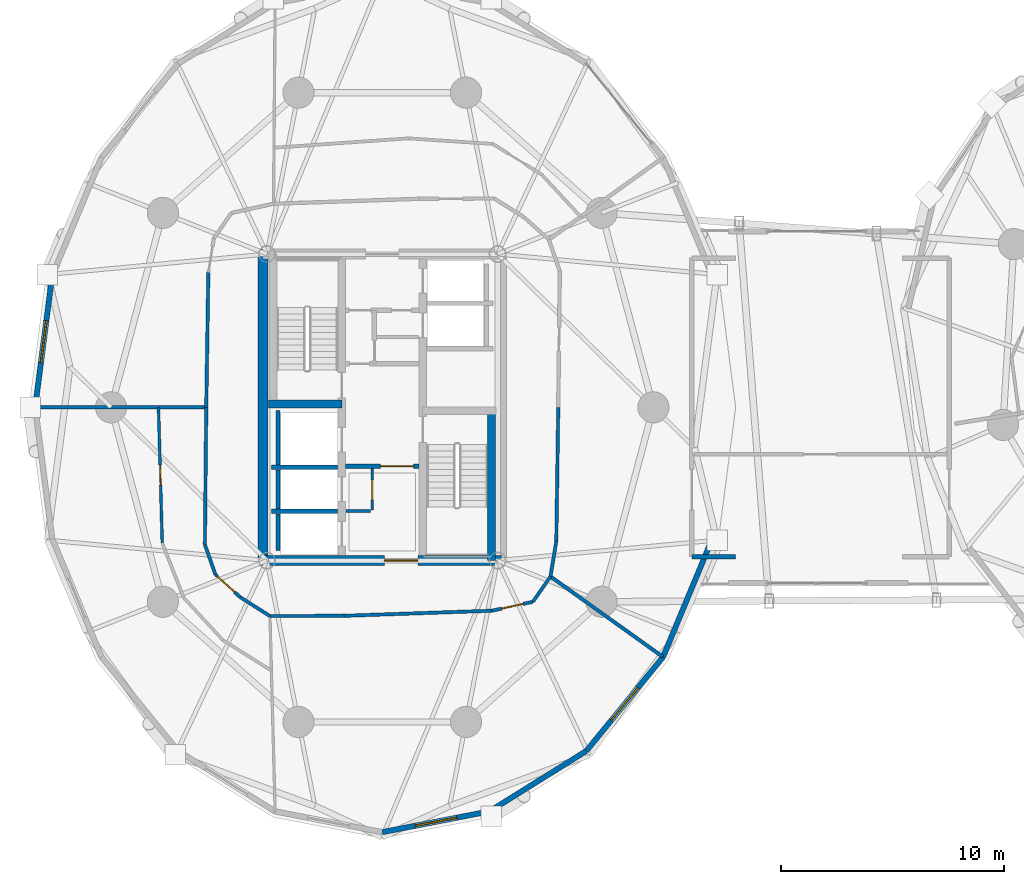
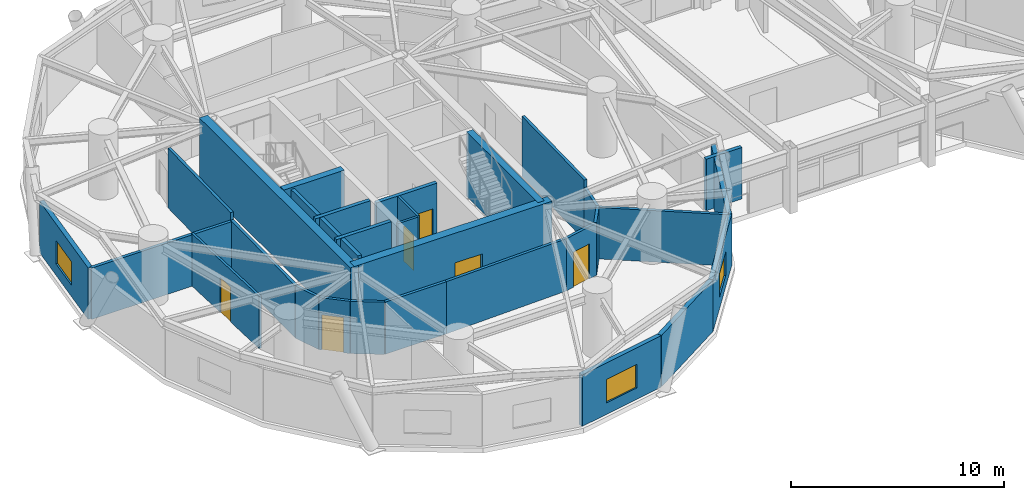
# One storey, part 13 of 20: 32 walls, 6 doors, 3 windows, 9 openings.
"""IFC4 building model written with IfcOpenShell, lengths in metres."""

from ifc_helpers import new_model, si_unit, direction, frame, frame_2d, origin, place, context, subcontext, project, spatial, rectangle, extrude, source, transform, mapped, material, layer, layer_set, type_object, element, fill, save


model = new_model("IFC4")

# Units and contexts
model_context = context("Model", 3, precision=1e-05, world=origin(), true_north=direction((0.0, 1.0)))
body_context = subcontext(model_context, "Body", "Model", "MODEL_VIEW")
ifc_project = project(units=[si_unit("LENGTHUNIT", "METRE"), si_unit("AREAUNIT", "SQUARE_METRE"), si_unit("VOLUMEUNIT", "CUBIC_METRE"), si_unit("PLANEANGLEUNIT", "RADIAN"), si_unit("MASSUNIT", "GRAM", prefix="KILO")], contexts=[model_context])

# Site, building, storey
site_placement = place(None, origin())
site = spatial("IfcSite", under=ifc_project, at=site_placement, CompositionType="ELEMENT")
building_placement = place(site_placement, origin())
building = spatial("IfcBuilding", under=site, at=building_placement, Name="Cununo Teusaquillo Station Towers", CompositionType="ELEMENT")
storey_placement = place(building_placement, frame((0.0, 0.0, 129.159912109375)))
storey = spatial("IfcBuildingStorey", under=building, at=storey_placement, Name="L41", CompositionType="ELEMENT", Elevation=129.159912109375)

# Walls
ifc_material_1 = material(Name="Concrete C50/60", Category="concrete")
ifc_layer_1 = layer(ifc_material_1, 0.199951171875)
ifc_layer_set_1 = layer_set([ifc_layer_1], Name="Concrete C50/60")
wall_type_1 = type_object("IfcWallType", Name="WL-CORE-200", PredefinedType="SHEAR", material=ifc_layer_set_1)
wall_1_placement = place(storey_placement, frame((11.52001953125, 21.800048828125, 0.0), z_axis=(0.0, 0.0, 1.0), x_axis=(1.0, 0.0, 0.0)))
element("IfcWall", 1, at=wall_1_placement, inside=storey, type_object=wall_type_1, Name="L41 Tower A Firefighting Lift Shaft South Shear Wall", PredefinedType="SHEAR", context=body_context, shape_type="SweptSolid", body=[
    extrude(rectangle(XDim=2.969970703125, YDim=0.199951171875, at=frame_2d((1.48486328125, 0.0))), origin(), (0.0, 0.0, 1.0), 3.719970703125),
])
wall_2_placement = place(storey_placement, frame((11.820068359375, 21.919921875, 0.0), z_axis=(0.0, 0.0, 1.0), x_axis=(0.0, 1.0, 0.0)))
element("IfcWall", 2, at=wall_2_placement, inside=storey, type_object=wall_type_1, Name="L41 Tower A Firefighting Lift Shaft Rear Shear Wall", PredefinedType="SHEAR", context=body_context, shape_type="SweptSolid", body=[
    extrude(rectangle(XDim=2.440185546875, YDim=0.199951171875, at=frame_2d((1.22021484375, 0.0))), origin(), (0.0, 0.0, 1.0), 3.719970703125),
])
wall_3_placement = place(storey_placement, frame((11.52001953125, 19.824951171875, 0.0), z_axis=(0.0, 0.0, 1.0), x_axis=(1.0, 0.0, 0.0)))
element("IfcWall", 3, at=wall_3_placement, inside=storey, type_object=wall_type_1, Name="L41 Tower A High-Rise Lift Hoistway Divider Shear Wall", PredefinedType="SHEAR", context=body_context, shape_type="SweptSolid", body=[
    extrude(rectangle(XDim=2.969970703125, YDim=0.199951171875, at=frame_2d((1.48486328125, 0.0))), origin(), (0.0, 0.0, 1.0), 3.719970703125),
])
wall_4_placement = place(storey_placement, frame((11.820068359375, 19.945068359375, 0.0), z_axis=(0.0, 0.0, 1.0), x_axis=(0.0, 1.0, 0.0)))
element("IfcWall", 4, at=wall_4_placement, inside=storey, type_object=wall_type_1, Name="L41 Tower A High-Rise Lift 2 Shaft Rear Shear Wall", PredefinedType="SHEAR", context=body_context, shape_type="SweptSolid", body=[
    extrude(rectangle(XDim=1.73486328125, YDim=0.199951171875, at=frame_2d((0.867431640625, 0.0))), origin(), (0.0, 0.0, 1.0), 3.719970703125),
])
wall_5_placement = place(storey_placement, frame((11.820068359375, 18.070068359375, 0.0), z_axis=(0.0, 0.0, 1.0), x_axis=(0.0, 1.0, 0.0)))
element("IfcWall", 5, at=wall_5_placement, inside=storey, type_object=wall_type_1, Name="L41 Tower A High-Rise Lift 1 Shaft Rear Shear Wall", PredefinedType="SHEAR", context=body_context, shape_type="SweptSolid", body=[
    extrude(rectangle(XDim=1.635009765625, YDim=0.199951171875, at=frame_2d((0.8173828125, 0.0))), origin(), (0.0, 0.0, 1.0), 3.719970703125),
])
ifc_material_2 = material(Name="Concrete C50/60", Category="concrete")
ifc_layer_2 = layer(ifc_material_2, 0.35009765625)
ifc_layer_set_2 = layer_set([ifc_layer_2], Name="Concrete C50/60")
wall_type_2 = type_object("IfcWallType", Name="WL-CORE-350", PredefinedType="SHEAR", material=ifc_layer_set_2)
wall_6_placement = place(storey_placement, frame((11.39990234375, 24.655029296875, 0.0), z_axis=(0.0, 0.0, 1.0), x_axis=(1.0, 0.0, 0.0)))
element("IfcWall", 6, at=wall_6_placement, inside=storey, type_object=wall_type_2, Name="L41 Tower A Core Shear Wall ST1S", PredefinedType="SHEAR", context=body_context, shape_type="SweptSolid", body=[
    extrude(rectangle(XDim=3.28515625, YDim=0.35009765625, at=frame_2d((1.642578125, 0.0))), origin(), (0.0, 0.0, 1.0), 3.719970703125),
])
wall_7_placement = place(storey_placement, frame((21.405029296875, 17.625, 0.0), z_axis=(0.0, 0.0, 1.0), x_axis=(0.0, 1.0, 0.0)))
element("IfcWall", 7, at=wall_7_placement, inside=storey, type_object=wall_type_2, Name="L41 Tower A Core Shear Wall ST2E", PredefinedType="SHEAR", context=body_context, shape_type="SweptSolid", body=[
    extrude(rectangle(XDim=6.719970703125, YDim=0.35009765625, at=frame_2d((3.35986328125, 0.0))), origin(), (0.0, 0.0, 1.0), 3.719970703125),
])
ifc_material_3 = material(Name="Concrete C60/75", Category="concrete")
ifc_layer_3 = layer(ifc_material_3, 0.449951171875)
ifc_layer_set_3 = layer_set([ifc_layer_3], Name="Concrete C60/75")
wall_type_3 = type_object("IfcWallType", Name="WL-CORE-450", PredefinedType="SHEAR", material=ifc_layer_set_3)
wall_8_placement = place(storey_placement, frame((11.14990234375, 17.39990234375, 0.0), z_axis=(0.0, 0.0, 1.0), x_axis=(0.0, 1.0, 0.0)))
element("IfcWall", 8, at=wall_8_placement, inside=storey, type_object=wall_type_3, Name="L41 Tower A Core Shear Wall W", PredefinedType="SHEAR", context=body_context, shape_type="SweptSolid", body=[
    extrude(rectangle(XDim=14.2001953125, YDim=0.449951171875, at=frame_2d((7.10009765625, 0.0))), origin(), (0.0, 0.0, 1.0), 3.719970703125),
])

# Wall, opening, door
wall_9_placement = place(storey_placement, frame((11.14990234375, 17.625, 0.0), z_axis=(0.0, 0.0, 1.0), x_axis=(1.0, 0.0, 0.0)))
wall_9 = element("IfcWall", 9, at=wall_9_placement, inside=storey, type_object=wall_type_3, Name="L41 Tower A Core Shear Wall S", PredefinedType="SHEAR", context=body_context, shape_type="SweptSolid", body=[
    extrude(rectangle(XDim=10.7001953125, YDim=0.449951171875, at=frame_2d((5.35009765625, 0.0))), origin(), (0.0, 0.0, 1.0), 3.719970703125),
])
shared_shape_1 = source(origin(), body_context, "Body", "SweptSolid", [
    extrude(rectangle(XDim=1.5, YDim=2.02001953125, at=frame_2d((0.75, 1.010009765625))), frame((0.0, 0.23486328125, 0.0), z_axis=(0.0, -1.0, 0.0), x_axis=(1.0, 0.0, 0.0)), (0.0, 0.0, 1.0), 0.469970703125),
])
opening_1_placement = place(wall_9_placement, frame((5.449951171875, 0.0, 0.0)))
opening_1 = element("IfcOpeningElement", 10, at=opening_1_placement, cuts=wall_9, Name="Opening D-LB1", PredefinedType="OPENING", context=body_context, shape_type="MappedRepresentation", body=[
    mapped(shared_shape_1, transform((0.0, 0.0, 0.0), x_axis=(1.0, 0.0, 0.0), y_axis=(0.0, 1.0, 0.0), z_axis=(0.0, 0.0, 1.0), scale=1.0)),
])
ifc_material_4 = material(Name="Galvanised fire-rated hollow steel door assembly", Category="steel")
door_type_1 = type_object("IfcDoorType", Name="DR-LOBBY-1500", OperationType="DOUBLE_DOOR_SINGLE_SWING", PredefinedType="DOOR", material=ifc_material_4)
shared_shape_2 = source(origin(), body_context, "Body", "SweptSolid", [
    extrude(rectangle(XDim=1.5, YDim=2.02001953125, at=frame_2d((0.75, 1.010009765625))), frame((0.0, 0.02490234375, 0.0), z_axis=(0.0, -1.0, 0.0), x_axis=(1.0, 0.0, 0.0)), (0.0, 0.0, 1.0), 0.050048828125),
])
door_1_placement = place(opening_1_placement, origin())
door_1 = element("IfcDoor", 11, at=door_1_placement, inside=storey, type_object=door_type_1, Name="L41 Tower A South Core Lift Lobby Door", OperationType="DOUBLE_DOOR_SINGLE_SWING", OverallHeight=2.02001953125, OverallWidth=1.5, PredefinedType="DOOR", context=body_context, shape_type="MappedRepresentation", body=[
    mapped(shared_shape_2, transform((0.0, 0.0, 0.0), x_axis=(1.0, 0.0, 0.0), y_axis=(0.0, 1.0, 0.0), z_axis=(0.0, 0.0, 1.0), scale=1.0)),
])
fill(opening_1, door_1)

# Wall, opening, window
ifc_material_5 = material(Name="Precast concrete C40/50", Category="concrete")
ifc_layer_4 = layer(ifc_material_5, 0.239990234375)
ifc_layer_set_4 = layer_set([ifc_layer_4], Name="Precast concrete C40/50")
wall_type_4 = type_object("IfcWallType", Name="WL-EXT-240", PredefinedType="SOLIDWALL", material=ifc_layer_set_4)
wall_10_placement = place(storey_placement, frame((0.9189453125, 24.5, 0.0), z_axis=(0.0, 0.0, 1.0), x_axis=(0.128351991996, 0.991728675672, 0.0)))
wall_10 = element("IfcWall", 12, at=wall_10_placement, inside=storey, type_object=wall_type_4, Name="L41 Tower A Exterior Facade Wall C09", PredefinedType="SOLIDWALL", context=body_context, shape_type="SweptSolid", body=[
    extrude(rectangle(XDim=5.942138671875, YDim=0.239990234375, at=frame_2d((2.97119140625, 0.0))), origin(), (0.0, 0.0, 1.0), 2.948974609375),
])
shared_shape_3 = source(origin(), body_context, "Body", "SweptSolid", [
    extrude(rectangle(XDim=1.89990234375, YDim=1.35009765625, at=frame_2d((0.949951171875, 0.675048828125))), frame((0.0, 0.1298828125, 0.0), z_axis=(0.0, -1.0, 0.0), x_axis=(1.0, 0.0, 0.0)), (0.0, 0.0, 1.0), 0.260009765625),
])
opening_2_placement = place(wall_10_placement, frame((2.02099609375, 0.0, 0.64990234375)))
opening_2 = element("IfcOpeningElement", 13, at=opening_2_placement, cuts=wall_10, Name="Opening WN-02", PredefinedType="OPENING", context=body_context, shape_type="MappedRepresentation", body=[
    mapped(shared_shape_3, transform((0.0, 0.0, 0.0), x_axis=(1.0, 0.0, 0.0), y_axis=(0.0, 1.0, 0.0), z_axis=(0.0, 0.0, 1.0), scale=1.0)),
])
ifc_material_6 = material(Name="Operable acoustic tinted low-E double glazing", Category="glass")
window_type = type_object("IfcWindowType", Name="WIN-OPER-1900", PartitioningType="DOUBLE_PANEL_VERTICAL", PredefinedType="WINDOW", material=ifc_material_6)
shared_shape_4 = source(origin(), body_context, "Body", "SweptSolid", [
    extrude(rectangle(XDim=1.89990234375, YDim=1.35009765625, at=frame_2d((0.949951171875, 0.675048828125))), frame((0.0, 0.030029296875, 0.0), z_axis=(0.0, -1.0, 0.0), x_axis=(1.0, 0.0, 0.0)), (0.0, 0.0, 1.0), 0.06005859375),
])
window_1_placement = place(opening_2_placement, origin())
window_1 = element("IfcWindow", 14, at=window_1_placement, inside=storey, type_object=window_type, Name="L41 Tower A Facade Window C09", OverallHeight=1.35009765625, OverallWidth=1.89990234375, PartitioningType="DOUBLE_PANEL_VERTICAL", PredefinedType="WINDOW", context=body_context, shape_type="MappedRepresentation", body=[
    mapped(shared_shape_4, transform((0.0, 0.0, 0.0), x_axis=(1.0, 0.0, 0.0), y_axis=(0.0, 1.0, 0.0), z_axis=(0.0, 0.0, 1.0), scale=1.0)),
])
fill(opening_2, window_1)

wall_11_placement = place(storey_placement, frame((21.314697265625, 6.36328125, 0.0), z_axis=(0.0, 0.0, 1.0), x_axis=(-0.981723785992, -0.190311344954, 0.0)))
wall_11 = element("IfcWall", 15, at=wall_11_placement, inside=storey, type_object=wall_type_4, Name="L41 Tower A Exterior Facade Wall C15", PredefinedType="SOLIDWALL", context=body_context, shape_type="SweptSolid", body=[
    extrude(rectangle(XDim=4.904296875, YDim=0.239990234375, at=frame_2d((2.4521484375, 0.0))), origin(), (0.0, 0.0, 1.0), 2.948974609375),
])
opening_3_placement = place(wall_11_placement, frame((1.501953125, 0.0, 0.64990234375)))
opening_3 = element("IfcOpeningElement", 16, at=opening_3_placement, cuts=wall_11, Name="Opening WN-02", PredefinedType="OPENING", context=body_context, shape_type="MappedRepresentation", body=[
    mapped(shared_shape_3, transform((0.0, 0.0, 0.0), x_axis=(1.0, 0.0, 0.0), y_axis=(0.0, 1.0, 0.0), z_axis=(0.0, 0.0, 1.0), scale=1.0)),
])
window_2_placement = place(opening_3_placement, origin())
window_2 = element("IfcWindow", 17, at=window_2_placement, inside=storey, type_object=window_type, Name="L41 Tower A Facade Window C15", OverallHeight=1.35009765625, OverallWidth=1.89990234375, PartitioningType="DOUBLE_PANEL_VERTICAL", PredefinedType="WINDOW", context=body_context, shape_type="MappedRepresentation", body=[
    mapped(shared_shape_4, transform((0.0, 0.0, 0.0), x_axis=(1.0, 0.0, 0.0), y_axis=(0.0, 1.0, 0.0), z_axis=(0.0, 0.0, 1.0), scale=1.0)),
])
fill(opening_3, window_2)

# Wall
wall_12_placement = place(storey_placement, frame((25.658203125, 9.072021484375, 0.0), z_axis=(0.0, 0.0, 1.0), x_axis=(-0.848520380187, -0.529162701263, 0.0)))
element("IfcWall", 18, at=wall_12_placement, inside=storey, type_object=wall_type_4, Name="L41 Tower A Exterior Facade Wall C16", PredefinedType="SOLIDWALL", context=body_context, shape_type="SweptSolid", body=[
    extrude(rectangle(XDim=5.118896484375, YDim=0.239990234375, at=frame_2d((2.5595703125, 0.0))), origin(), (0.0, 0.0, 1.0), 2.948974609375),
])

# Wall, opening, window
wall_13_placement = place(storey_placement, frame((29.105224609375, 13.291015625, 0.0), z_axis=(0.0, 0.0, 1.0), x_axis=(-0.632700781152, -0.77439635945, 0.0)))
wall_13 = element("IfcWall", 19, at=wall_13_placement, inside=storey, type_object=wall_type_4, Name="L41 Tower A Exterior Facade Wall C17", PredefinedType="SOLIDWALL", context=body_context, shape_type="SweptSolid", body=[
    extrude(rectangle(XDim=5.447998046875, YDim=0.239990234375, at=frame_2d((2.72412109375, 0.0))), origin(), (0.0, 0.0, 1.0), 2.948974609375),
])
opening_4_placement = place(wall_13_placement, frame((1.77392578125, 0.0, 0.64990234375)))
opening_4 = element("IfcOpeningElement", 20, at=opening_4_placement, cuts=wall_13, Name="Opening WN-02", PredefinedType="OPENING", context=body_context, shape_type="MappedRepresentation", body=[
    mapped(shared_shape_3, transform((0.0, 0.0, 0.0), x_axis=(1.0, 0.0, 0.0), y_axis=(0.0, 1.0, 0.0), z_axis=(0.0, 0.0, 1.0), scale=1.0)),
])
window_3_placement = place(opening_4_placement, origin())
window_3 = element("IfcWindow", 21, at=window_3_placement, inside=storey, type_object=window_type, Name="L41 Tower A Facade Window C17", OverallHeight=1.35009765625, OverallWidth=1.89990234375, PartitioningType="DOUBLE_PANEL_VERTICAL", PredefinedType="WINDOW", context=body_context, shape_type="MappedRepresentation", body=[
    mapped(shared_shape_4, transform((0.0, 0.0, 0.0), x_axis=(1.0, 0.0, 0.0), y_axis=(0.0, 1.0, 0.0), z_axis=(0.0, 0.0, 1.0), scale=1.0)),
])
fill(opening_4, window_3)

# Wall
wall_14_placement = place(storey_placement, frame((31.318359375, 18.60693359375, 0.0), z_axis=(0.0, 0.0, 1.0), x_axis=(-0.384344417632, -0.923189779317, 0.0)))
element("IfcWall", 22, at=wall_14_placement, inside=storey, type_object=wall_type_4, Name="L41 Tower A Exterior Facade Wall C18", PredefinedType="SOLIDWALL", context=body_context, shape_type="SweptSolid", body=[
    extrude(rectangle(XDim=5.75830078125, YDim=0.239990234375, at=frame_2d((2.879150390625, 0.0))), origin(), (0.0, 0.0, 1.0), 2.948974609375),
])

# Wall, opening, door
ifc_material_7 = material(Name="Fire-rated gypsum plasterboard partition assembly", Category="gypsum")
ifc_layer_5 = layer(ifc_material_7, 0.125)
ifc_layer_set_5 = layer_set([ifc_layer_5], Name="Fire-rated gypsum plasterboard partition assembly")
wall_type_5 = type_object("IfcWallType", Name="WL-PART-125", PredefinedType="PARTITIONING", material=ifc_layer_set_5)
wall_15_placement = place(storey_placement, frame((16.050048828125, 19.8798828125, 0.0), z_axis=(0.0, 0.0, 1.0), x_axis=(0.0, 1.0, 0.0)))
wall_15 = element("IfcWall", 23, at=wall_15_placement, inside=storey, type_object=wall_type_5, Name="L41 Tower A North-West Lobby Store East Wall", PredefinedType="PARTITIONING", context=body_context, shape_type="SweptSolid", body=[
    extrude(rectangle(XDim=1.8701171875, YDim=0.125, at=frame_2d((0.93505859375, 0.0))), origin(), (0.0, 0.0, 1.0), 3.425048828125),
])
shared_shape_5 = source(origin(), body_context, "Body", "SweptSolid", [
    extrude(rectangle(XDim=0.89990234375, YDim=2.0048828125, at=frame_2d((0.449951171875, 1.00244140625))), frame((0.0, 0.072509765625, 0.0), z_axis=(0.0, -1.0, 0.0), x_axis=(1.0, 0.0, 0.0)), (0.0, 0.0, 1.0), 0.14501953125),
])
opening_5_placement = place(wall_15_placement, frame((0.449951171875, 0.0, 0.0)))
opening_5 = element("IfcOpeningElement", 24, at=opening_5_placement, cuts=wall_15, Name="Opening D-SR1", PredefinedType="OPENING", context=body_context, shape_type="MappedRepresentation", body=[
    mapped(shared_shape_5, transform((0.0, 0.0, 0.0), x_axis=(1.0, 0.0, 0.0), y_axis=(0.0, 1.0, 0.0), z_axis=(0.0, 0.0, 1.0), scale=1.0)),
])
ifc_material_8 = material(Name="Galvanised fire-rated hollow steel door assembly", Category="steel")
door_type_2 = type_object("IfcDoorType", Name="DR-STORE-900", OperationType="NOTDEFINED", PredefinedType="DOOR", material=ifc_material_8)
shared_shape_6 = source(origin(), body_context, "Body", "SweptSolid", [
    extrude(rectangle(XDim=0.89990234375, YDim=2.0048828125, at=frame_2d((0.449951171875, 1.00244140625))), frame((0.0, 0.02490234375, 0.0), z_axis=(0.0, -1.0, 0.0), x_axis=(1.0, 0.0, 0.0)), (0.0, 0.0, 1.0), 0.050048828125),
])
door_2_placement = place(opening_5_placement, origin())
door_2 = element("IfcDoor", 25, at=door_2_placement, inside=storey, type_object=door_type_2, Name="L41 Tower A South Lobby Data Store Door", OperationType="SINGLE_SWING_LEFT", OverallHeight=2.0048828125, OverallWidth=0.89990234375, PredefinedType="DOOR", context=body_context, shape_type="MappedRepresentation", body=[
    mapped(shared_shape_6, transform((0.0, 0.0, 0.0), x_axis=(1.0, 0.0, 0.0), y_axis=(0.0, 1.0, 0.0), z_axis=(0.0, 0.0, 1.0), scale=1.0)),
])
fill(opening_5, door_2)

# Wall
wall_16_placement = place(storey_placement, frame((14.8798828125, 19.85009765625, 0.0), z_axis=(0.0, 0.0, 1.0), x_axis=(1.0, 0.0, 0.0)))
element("IfcWall", 26, at=wall_16_placement, inside=storey, type_object=wall_type_5, Name="L41 Tower A North-West Lobby Store South Wall", PredefinedType="PARTITIONING", context=body_context, shape_type="SweptSolid", body=[
    extrude(rectangle(XDim=1.10009765625, YDim=0.125, at=frame_2d((0.550048828125, 0.0))), origin(), (0.0, 0.0, 1.0), 3.425048828125),
])

# Wall, opening, door
wall_17_placement = place(storey_placement, frame((6.454833984375, 24.5, 0.0), z_axis=(0.0, 0.0, 1.0), x_axis=(0.027753708707, -0.999614791634, 0.0)))
wall_17 = element("IfcWall", 27, at=wall_17_placement, inside=storey, type_object=wall_type_5, Name="L41 Tower A VIP Delegation Briefing Salon Concentric Partition Wall C10", PredefinedType="PARTITIONING", context=body_context, shape_type="SweptSolid", body=[
    extrude(rectangle(XDim=6.08740234375, YDim=0.125, at=frame_2d((3.043701171875, 0.0))), origin(), (0.0, 0.0, 1.0), 2.9951171875),
])
opening_6_placement = place(wall_17_placement, frame((2.593505859375, 0.0, 0.0)))
opening_6 = element("IfcOpeningElement", 28, at=opening_6_placement, cuts=wall_17, Name="Opening D-IN1", PredefinedType="OPENING", context=body_context, shape_type="MappedRepresentation", body=[
    mapped(shared_shape_5, transform((0.0, 0.0, 0.0), x_axis=(1.0, 0.0, 0.0), y_axis=(0.0, 1.0, 0.0), z_axis=(0.0, 0.0, 1.0), scale=1.0)),
])
ifc_material_9 = material(Name="Acoustic solid-core hardwood leaf assembly", Category="wood")
door_type_3 = type_object("IfcDoorType", Name="DR-INT-900", OperationType="NOTDEFINED", PredefinedType="DOOR", material=ifc_material_9)
door_3_placement = place(opening_6_placement, origin())
door_3 = element("IfcDoor", 29, at=door_3_placement, inside=storey, type_object=door_type_3, Name="L41 Tower A VIP Delegation Briefing Salon Connecting Door", OperationType="SINGLE_SWING_RIGHT", OverallHeight=2.0048828125, OverallWidth=0.89990234375, PredefinedType="DOOR", context=body_context, shape_type="MappedRepresentation", body=[
    mapped(shared_shape_6, transform((0.0, 0.0, 0.0), x_axis=(1.0, 0.0, 0.0), y_axis=(0.0, 1.0, 0.0), z_axis=(0.0, 0.0, 1.0), scale=1.0)),
])
fill(opening_6, door_3)

# Walls
ifc_material_10 = material(Name="Fire-rated gypsum plasterboard partition assembly", Category="gypsum")
ifc_layer_6 = layer(ifc_material_10, 0.14990234375)
ifc_layer_set_6 = layer_set([ifc_layer_6], Name="Fire-rated gypsum plasterboard partition assembly")
wall_type_6 = type_object("IfcWallType", Name="WL-PART-150", PredefinedType="PARTITIONING", material=ifc_layer_set_6)
wall_18_placement = place(storey_placement, frame((8.692626953125, 30.544189453125, 0.0), z_axis=(0.0, 0.0, 1.0), x_axis=(-0.015307007986, -0.99988284089, 0.0)))
element("IfcWall", 30, at=wall_18_placement, inside=storey, type_object=wall_type_6, Name="L41 Tower A Corridor Ring Wall C09", PredefinedType="PARTITIONING", context=body_context, shape_type="SweptSolid", body=[
    extrude(rectangle(XDim=6.044921875, YDim=0.14990234375, at=frame_2d((3.0224609375, 0.0))), origin(), (0.0, 0.0, 1.0), 3.425048828125),
])
wall_19_placement = place(storey_placement, frame((8.60009765625, 24.5, 0.0), z_axis=(0.0, 0.0, 1.0), x_axis=(-0.010023665349, -0.999949761805, 0.0)))
element("IfcWall", 31, at=wall_19_placement, inside=storey, type_object=wall_type_6, Name="L41 Tower A Corridor Ring Wall C10", PredefinedType="PARTITIONING", context=body_context, shape_type="SweptSolid", body=[
    extrude(rectangle(XDim=6.162109375, YDim=0.14990234375, at=frame_2d((3.0810546875, 0.0))), origin(), (0.0, 0.0, 1.0), 2.9951171875),
])
wall_20_placement = place(storey_placement, frame((8.538330078125, 18.338134765625, 0.0), z_axis=(0.0, 0.0, 1.0), x_axis=(0.331358150167, -0.94350504838, 0.0)))
element("IfcWall", 32, at=wall_20_placement, inside=storey, type_object=wall_type_6, Name="L41 Tower A Corridor Ring Wall C11", PredefinedType="PARTITIONING", context=body_context, shape_type="SweptSolid", body=[
    extrude(rectangle(XDim=1.42431640625, YDim=0.14990234375, at=frame_2d((0.712158203125, 0.0))), origin(), (0.0, 0.0, 1.0), 2.9951171875),
])

# Wall, opening, door
wall_21_placement = place(storey_placement, frame((9.01025390625, 16.994384765625, 0.0), z_axis=(0.0, 0.0, 1.0), x_axis=(0.737701798986, -0.67512669609, 0.0)))
wall_21 = element("IfcWall", 33, at=wall_21_placement, inside=storey, type_object=wall_type_6, Name="L41 Tower A Corridor Ring Wall C12", PredefinedType="PARTITIONING", context=body_context, shape_type="SweptSolid", body=[
    extrude(rectangle(XDim=1.498291015625, YDim=0.14990234375, at=frame_2d((0.7490234375, 0.0))), origin(), (0.0, 0.0, 1.0), 2.9951171875),
])
shared_shape_7 = source(origin(), body_context, "Body", "SweptSolid", [
    extrude(rectangle(XDim=1.050048828125, YDim=2.014892578125, at=frame_2d((0.52490234375, 1.00732421875))), frame((0.0, 0.0849609375, 0.0), z_axis=(0.0, -1.0, 0.0), x_axis=(1.0, 0.0, 0.0)), (0.0, 0.0, 1.0), 0.169921875),
])
opening_7_placement = place(wall_21_placement, frame((0.1201171875, 0.0, 0.0)))
opening_7 = element("IfcOpeningElement", 34, at=opening_7_placement, cuts=wall_21, Name="Opening D-SU1", PredefinedType="OPENING", context=body_context, shape_type="MappedRepresentation", body=[
    mapped(shared_shape_7, transform((0.0, 0.0, 0.0), x_axis=(1.0, 0.0, 0.0), y_axis=(0.0, 1.0, 0.0), z_axis=(0.0, 0.0, 1.0), scale=1.0)),
])
ifc_material_11 = material(Name="Acoustic solid-core hardwood leaf assembly", Category="wood")
door_type_4 = type_object("IfcDoorType", Name="DR-SUITE-1050", OperationType="NOTDEFINED", PredefinedType="DOOR", material=ifc_material_11)
shared_shape_8 = source(origin(), body_context, "Body", "SweptSolid", [
    extrude(rectangle(XDim=1.050048828125, YDim=2.014892578125, at=frame_2d((0.52490234375, 1.00732421875))), frame((0.0, 0.02490234375, 0.0), z_axis=(0.0, -1.0, 0.0), x_axis=(1.0, 0.0, 0.0)), (0.0, 0.0, 1.0), 0.050048828125),
])
door_4_placement = place(opening_7_placement, origin())
door_4 = element("IfcDoor", 35, at=door_4_placement, inside=storey, type_object=door_type_4, Name="L41 Tower A VIP Delegation Briefing Salon Entrance Door", OperationType="SINGLE_SWING_LEFT", OverallHeight=2.014892578125, OverallWidth=1.050048828125, PredefinedType="DOOR", context=body_context, shape_type="MappedRepresentation", body=[
    mapped(shared_shape_8, transform((0.0, 0.0, 0.0), x_axis=(1.0, 0.0, 0.0), y_axis=(0.0, 1.0, 0.0), z_axis=(0.0, 0.0, 1.0), scale=1.0)),
])
fill(opening_7, door_4)

# Walls
wall_22_placement = place(storey_placement, frame((10.115478515625, 15.98291015625, 0.0), z_axis=(0.0, 0.0, 1.0), x_axis=(0.843995849351, -0.536349705209, 0.0)))
element("IfcWall", 36, at=wall_22_placement, inside=storey, type_object=wall_type_6, Name="L41 Tower A Corridor Ring Wall C13", PredefinedType="PARTITIONING", context=body_context, shape_type="SweptSolid", body=[
    extrude(rectangle(XDim=1.5927734375, YDim=0.14990234375, at=frame_2d((0.79638671875, 0.0))), origin(), (0.0, 0.0, 1.0), 2.9951171875),
])
wall_23_placement = place(storey_placement, frame((11.459716796875, 15.128662109375, 0.0), z_axis=(0.0, 0.0, 1.0), x_axis=(0.999993513287, 0.003601858435, 0.0)))
element("IfcWall", 37, at=wall_23_placement, inside=storey, type_object=wall_type_6, Name="L41 Tower A Corridor Ring Wall C14", PredefinedType="PARTITIONING", context=body_context, shape_type="SweptSolid", body=[
    extrude(rectangle(XDim=3.3212890625, YDim=0.14990234375, at=frame_2d((1.66064453125, 0.0))), origin(), (0.0, 0.0, 1.0), 2.9951171875),
])
wall_24_placement = place(storey_placement, frame((14.781005859375, 15.140625, 0.0), z_axis=(0.0, 0.0, 1.0), x_axis=(0.999407918707, 0.034406569513, 0.0)))
element("IfcWall", 38, at=wall_24_placement, inside=storey, type_object=wall_type_6, Name="L41 Tower A Corridor Ring Wall C15", PredefinedType="PARTITIONING", context=body_context, shape_type="SweptSolid", body=[
    extrude(rectangle(XDim=6.6416015625, YDim=0.14990234375, at=frame_2d((3.32080078125, 0.0))), origin(), (0.0, 0.0, 1.0), 2.9951171875),
])

# Wall, opening, door
wall_25_placement = place(storey_placement, frame((21.418701171875, 15.369140625, 0.0), z_axis=(0.0, 0.0, 1.0), x_axis=(0.977192701953, 0.212354475464, 0.0)))
wall_25 = element("IfcWall", 39, at=wall_25_placement, inside=storey, type_object=wall_type_6, Name="L41 Tower A Corridor Ring Wall C16", PredefinedType="PARTITIONING", context=body_context, shape_type="SweptSolid", body=[
    extrude(rectangle(XDim=1.8876953125, YDim=0.14990234375, at=frame_2d((0.94384765625, 0.0))), origin(), (0.0, 0.0, 1.0), 2.9951171875),
])
shared_shape_9 = source(origin(), body_context, "Body", "SweptSolid", [
    extrude(rectangle(XDim=1.0, YDim=2.014892578125, at=frame_2d((0.5, 1.00732421875))), frame((0.0, 0.0849609375, 0.0), z_axis=(0.0, -1.0, 0.0), x_axis=(1.0, 0.0, 0.0)), (0.0, 0.0, 1.0), 0.169921875),
])
opening_8_placement = place(wall_25_placement, frame((0.44384765625, 0.0, 0.0)))
opening_8 = element("IfcOpeningElement", 40, at=opening_8_placement, cuts=wall_25, Name="Opening D-AC1", PredefinedType="OPENING", context=body_context, shape_type="MappedRepresentation", body=[
    mapped(shared_shape_9, transform((0.0, 0.0, 0.0), x_axis=(1.0, 0.0, 0.0), y_axis=(0.0, 1.0, 0.0), z_axis=(0.0, 0.0, 1.0), scale=1.0)),
])
ifc_material_12 = material(Name="Acoustic solid-core hardwood leaf assembly", Category="wood")
door_type_5 = type_object("IfcDoorType", Name="DR-ACC-1000", OperationType="NOTDEFINED", PredefinedType="DOOR", material=ifc_material_12)
shared_shape_10 = source(origin(), body_context, "Body", "SweptSolid", [
    extrude(rectangle(XDim=1.0, YDim=2.014892578125, at=frame_2d((0.5, 1.00732421875))), frame((0.0, 0.02490234375, 0.0), z_axis=(0.0, -1.0, 0.0), x_axis=(1.0, 0.0, 0.0)), (0.0, 0.0, 1.0), 0.050048828125),
])
door_5_placement = place(opening_8_placement, origin())
door_5 = element("IfcDoor", 41, at=door_5_placement, inside=storey, type_object=door_type_5, Name="L41 Tower A Public Accessible Restroom WC Entrance Door", OperationType="SINGLE_SWING_LEFT", OverallHeight=2.014892578125, OverallWidth=1.0, PredefinedType="DOOR", context=body_context, shape_type="MappedRepresentation", body=[
    mapped(shared_shape_10, transform((0.0, 0.0, 0.0), x_axis=(1.0, 0.0, 0.0), y_axis=(0.0, 1.0, 0.0), z_axis=(0.0, 0.0, 1.0), scale=1.0)),
])
fill(opening_8, door_5)

# Walls
wall_26_placement = place(storey_placement, frame((23.263427734375, 15.77001953125, 0.0), z_axis=(0.0, 0.0, 1.0), x_axis=(0.570743456919, 0.821128434768, 0.0)))
element("IfcWall", 42, at=wall_26_placement, inside=storey, type_object=wall_type_6, Name="L41 Tower A Corridor Ring Wall C17", PredefinedType="PARTITIONING", context=body_context, shape_type="SweptSolid", body=[
    extrude(rectangle(XDim=1.381591796875, YDim=0.14990234375, at=frame_2d((0.69091796875, 0.0))), origin(), (0.0, 0.0, 1.0), 2.9951171875),
])
wall_27_placement = place(storey_placement, frame((24.052001953125, 16.904541015625, 0.0), z_axis=(0.0, 0.0, 1.0), x_axis=(0.162091534225, 0.986775726562, 0.0)))
element("IfcWall", 43, at=wall_27_placement, inside=storey, type_object=wall_type_6, Name="L41 Tower A Corridor Ring Wall C18", PredefinedType="PARTITIONING", context=body_context, shape_type="SweptSolid", body=[
    extrude(rectangle(XDim=1.613037109375, YDim=0.14990234375, at=frame_2d((0.806640625, 0.0))), origin(), (0.0, 0.0, 1.0), 2.9951171875),
])
wall_28_placement = place(storey_placement, frame((24.3134765625, 18.496337890625, 0.0), z_axis=(0.0, 0.0, 1.0), x_axis=(0.014394019188, 0.999896400739, 0.0)))
element("IfcWall", 44, at=wall_28_placement, inside=storey, type_object=wall_type_6, Name="L41 Tower A Corridor Ring Wall C19", PredefinedType="PARTITIONING", context=body_context, shape_type="SweptSolid", body=[
    extrude(rectangle(XDim=6.00439453125, YDim=0.14990234375, at=frame_2d((3.002197265625, 0.0))), origin(), (0.0, 0.0, 1.0), 3.425048828125),
])
ifc_material_13 = material(Name="Fire-rated gypsum plasterboard partition assembly", Category="gypsum")
ifc_layer_7 = layer(ifc_material_13, 0.159912109375)
ifc_layer_set_7 = layer_set([ifc_layer_7], Name="Fire-rated gypsum plasterboard partition assembly")
wall_type_7 = type_object("IfcWallType", Name="WL-PART-160", PredefinedType="PARTITIONING", material=ifc_layer_set_7)
wall_29_placement = place(storey_placement, frame((8.60009765625, 24.5, 0.0), z_axis=(0.0, 0.0, 1.0), x_axis=(-1.0, 0.0, 0.0)))
element("IfcWall", 45, at=wall_29_placement, inside=storey, type_object=wall_type_7, Name="L41 Tower A Radial Suite Partition R03", PredefinedType="PARTITIONING", context=body_context, shape_type="SweptSolid", body=[
    extrude(rectangle(XDim=7.6611328125, YDim=0.159912109375, at=frame_2d((3.83056640625, 0.0))), origin(), (0.0, 0.0, 1.0), 2.948974609375),
])
wall_30_placement = place(storey_placement, frame((24.052001953125, 16.904541015625, 0.0), z_axis=(0.0, 0.0, 1.0), x_axis=(0.813437670746, -0.581652091727, 0.0)))
element("IfcWall", 46, at=wall_30_placement, inside=storey, type_object=wall_type_7, Name="L41 Tower A Radial Suite Partition R05", PredefinedType="PARTITIONING", context=body_context, shape_type="SweptSolid", body=[
    extrude(rectangle(XDim=6.1923828125, YDim=0.159912109375, at=frame_2d((3.09619140625, 0.0))), origin(), (0.0, 0.0, 1.0), 2.948974609375),
])
ifc_material_14 = material(Name="Fire-rated gypsum plasterboard partition assembly", Category="gypsum")
ifc_layer_8 = layer(ifc_material_14, 0.199951171875)
ifc_layer_set_8 = layer_set([ifc_layer_8], Name="Fire-rated gypsum plasterboard partition assembly")
wall_type_8 = type_object("IfcWallType", Name="WL-PART-200", PredefinedType="PARTITIONING", material=ifc_layer_set_8)
wall_31_placement = place(storey_placement, frame((30.39990234375, 17.800048828125, 0.0), z_axis=(0.0, 0.0, 1.0), x_axis=(1.0, 0.0, 0.0)))
element("IfcWall", 47, at=wall_31_placement, inside=storey, type_object=wall_type_8, Name="L41 Mid-Bridge Portal Return Wall WS", PredefinedType="PARTITIONING", context=body_context, shape_type="SweptSolid", body=[
    extrude(rectangle(XDim=1.9501953125, YDim=0.199951171875, at=frame_2d((0.97509765625, 0.0))), origin(), (0.0, 0.0, 1.0), 2.948974609375),
])

# Wall, opening, door
wall_32_placement = place(storey_placement, frame((14.860107421875, 21.85009765625, 0.0), z_axis=(0.0, 0.0, 1.0), x_axis=(1.0, 0.0, 0.0)))
wall_32 = element("IfcWall", 48, at=wall_32_placement, inside=storey, type_object=wall_type_8, Name="L41 Tower A Firefighting Lift Lobby South Fire Wall", PredefinedType="PARTITIONING", context=body_context, shape_type="SweptSolid", body=[
    extrude(rectangle(XDim=3.27978515625, YDim=0.199951171875, at=frame_2d((1.639892578125, 0.0))), origin(), (0.0, 0.0, 1.0), 3.425048828125),
])
shared_shape_11 = source(origin(), body_context, "Body", "SweptSolid", [
    extrude(rectangle(XDim=1.5, YDim=2.02001953125, at=frame_2d((0.75, 1.010009765625))), frame((0.0, 0.10986328125, 0.0), z_axis=(0.0, -1.0, 0.0), x_axis=(1.0, 0.0, 0.0)), (0.0, 0.0, 1.0), 0.219970703125),
])
opening_9_placement = place(wall_32_placement, frame((1.550048828125, 0.0, 0.0)))
opening_9 = element("IfcOpeningElement", 49, at=opening_9_placement, cuts=wall_32, Name="Opening D-LB1", PredefinedType="OPENING", context=body_context, shape_type="MappedRepresentation", body=[
    mapped(shared_shape_11, transform((0.0, 0.0, 0.0), x_axis=(1.0, 0.0, 0.0), y_axis=(0.0, 1.0, 0.0), z_axis=(0.0, 0.0, 1.0), scale=1.0)),
])
door_6_placement = place(opening_9_placement, origin())
door_6 = element("IfcDoor", 50, at=door_6_placement, inside=storey, type_object=door_type_1, Name="L41 Tower A Firefighting Lift Lobby South Fire Door", OperationType="DOUBLE_DOOR_SINGLE_SWING", OverallHeight=2.02001953125, OverallWidth=1.5, PredefinedType="DOOR", context=body_context, shape_type="MappedRepresentation", body=[
    mapped(shared_shape_2, transform((0.0, 0.0, 0.0), x_axis=(1.0, 0.0, 0.0), y_axis=(0.0, 1.0, 0.0), z_axis=(0.0, 0.0, 1.0), scale=1.0)),
])
fill(opening_9, door_6)

save(model, "model.ifc")
